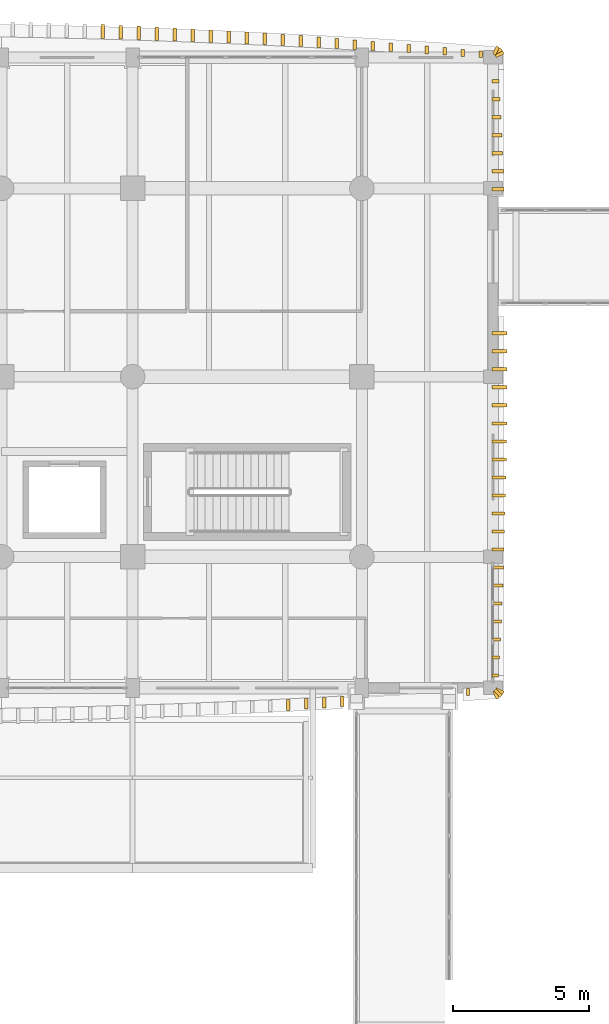
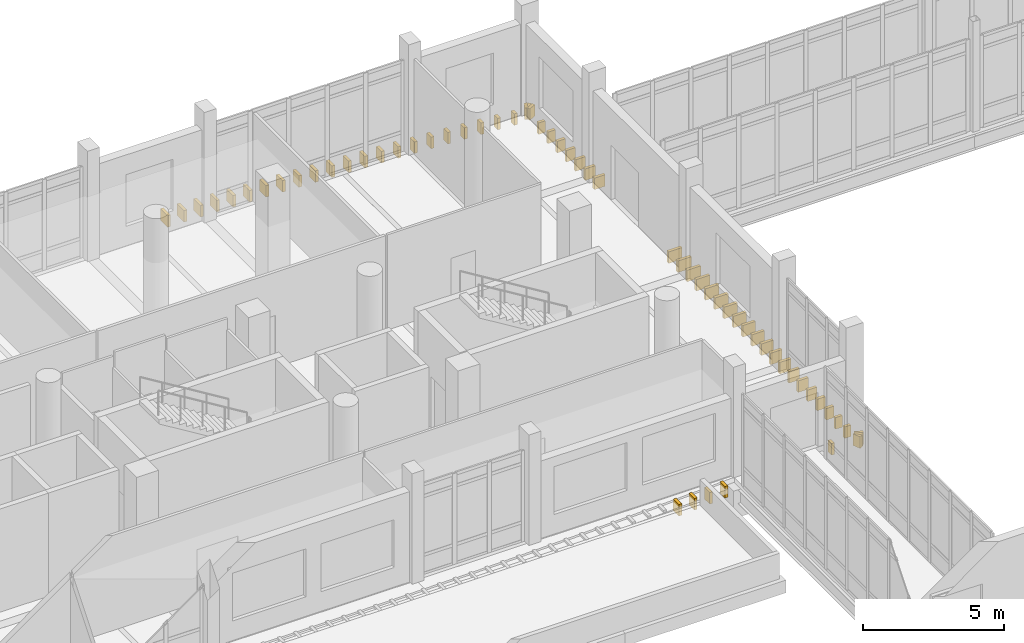
# One storey, part 121 of 125: 60 coverings.
"""IFC4 building model written with IfcOpenShell, lengths in metres."""

from ifc_helpers import new_model, si_unit, direction, frame, origin, origin_2d, place, context, subcontext, project, spatial, rectangle, extrude, material, layer, layer_set, type_object, element, save


model = new_model("IFC4")

# Units and contexts
model_context = context("Model", 3, precision=1e-05, world=origin(), true_north=direction((0.0, 1.0)))
body_context = subcontext(model_context, "Body", "Model", "MODEL_VIEW")
ifc_project = project(units=[si_unit("LENGTHUNIT", "METRE"), si_unit("AREAUNIT", "SQUARE_METRE"), si_unit("VOLUMEUNIT", "CUBIC_METRE"), si_unit("PLANEANGLEUNIT", "RADIAN"), si_unit("MASSUNIT", "GRAM", prefix="KILO")], contexts=[model_context])

# Site, building, storey
site_placement = place(None, origin())
site = spatial("IfcSite", under=ifc_project, at=site_placement, CompositionType="ELEMENT")
building_placement = place(site_placement, origin())
building = spatial("IfcBuilding", under=site, at=building_placement, Name="Dornvale Research Institute", CompositionType="ELEMENT")
storey_placement = place(building_placement, frame((0.0, 0.0, 5.39990234375)))
storey = spatial("IfcBuildingStorey", under=building, at=storey_placement, Name="L01", CompositionType="ELEMENT", Elevation=5.39990234375)

# Coverings
ifc_material = material(Name="Polychrome Glazed Terracotta Visor Rib Ceramic", Category="masonry")
ifc_layer = layer(ifc_material, 0.1201171875)
ifc_layer_set = layer_set([ifc_layer], Name="Polychrome Glazed Terracotta Visor Rib Ceramic")
covering_type = type_object("IfcCoveringType", Name="Covering_VisorBlade_Main", PredefinedType="CLADDING", material=ifc_layer_set)
covering_1_placement = place(storey_placement, frame((38.70263671875, 98.37646484375, -0.489990234375), z_axis=(0.0, 0.0, 1.0), x_axis=(0.0, 1.0, 0.0)))
element("IfcCovering", 1, at=covering_1_placement, inside=storey, type_object=covering_type, Name="L01 V5 canted glazed terracotta visor blade #59", PredefinedType="CLADDING", context=body_context, shape_type="SweptSolid", body=[
    extrude(rectangle(XDim=0.405029296875, YDim=0.1201171875, at=origin_2d()), origin(), (0.0, 0.0, 1.0), 0.5),
])
covering_2_placement = place(storey_placement, frame((39.36181640625, 98.415771484375, -0.489990234375), z_axis=(0.0, 0.0, 1.0), x_axis=(0.0, 1.0, 0.0)))
element("IfcCovering", 2, at=covering_2_placement, inside=storey, type_object=covering_type, Name="L01 V5 canted glazed terracotta visor blade #60", PredefinedType="CLADDING", context=body_context, shape_type="SweptSolid", body=[
    extrude(rectangle(XDim=0.39208984375, YDim=0.1201171875, at=origin_2d()), origin(), (0.0, 0.0, 1.0), 0.5),
])
covering_3_placement = place(storey_placement, frame((40.02099609375, 98.4580078125, -0.489990234375), z_axis=(0.0, 0.0, 1.0), x_axis=(0.0, 1.0, 0.0)))
element("IfcCovering", 3, at=covering_3_placement, inside=storey, type_object=covering_type, Name="L01 V5 canted glazed terracotta visor blade #61", PredefinedType="CLADDING", context=body_context, shape_type="SweptSolid", body=[
    extrude(rectangle(XDim=0.3779296875, YDim=0.1201171875, at=origin_2d()), origin(), (0.0, 0.0, 1.0), 0.5),
])
covering_4_placement = place(storey_placement, frame((40.679931640625, 98.501708984375, -0.489990234375), z_axis=(0.0, 0.0, 1.0), x_axis=(0.0, 1.0, 0.0)))
element("IfcCovering", 4, at=covering_4_placement, inside=storey, type_object=covering_type, Name="L01 V5 canted glazed terracotta visor blade #62", PredefinedType="CLADDING", context=body_context, shape_type="SweptSolid", body=[
    extrude(rectangle(XDim=0.363037109375, YDim=0.1201171875, at=origin_2d()), origin(), (0.0, 0.0, 1.0), 0.5),
])
covering_5_placement = place(storey_placement, frame((45.290771484375, 98.8525390625, -0.489990234375), z_axis=(0.0, 0.0, 1.0), x_axis=(0.0, 1.0, 0.0)))
element("IfcCovering", 5, at=covering_5_placement, inside=storey, type_object=covering_type, Name="L01 V5 canted glazed terracotta visor blade #63", PredefinedType="CLADDING", context=body_context, shape_type="SweptSolid", body=[
    extrude(rectangle(XDim=0.24609375, YDim=0.1201171875, at=origin_2d()), origin(), (0.0, 0.0, 1.0), 0.5),
])
covering_6_placement = place(storey_placement, frame((45.751220703125, 122.20849609375, -0.489990234375), z_axis=(0.0, 0.0, 1.0), x_axis=(0.0, 1.0, 0.0)))
element("IfcCovering", 6, at=covering_6_placement, inside=storey, type_object=covering_type, Name="L01 V5 canted glazed terracotta visor blade #64", PredefinedType="CLADDING", context=body_context, shape_type="SweptSolid", body=[
    extrude(rectangle(XDim=0.23291015625, YDim=0.1201171875, at=origin_2d()), origin(), (0.0, 0.0, 1.0), 0.5),
])
covering_7_placement = place(storey_placement, frame((45.0927734375, 122.2646484375, -0.489990234375), z_axis=(0.0, 0.0, 1.0), x_axis=(0.0, 1.0, 0.0)))
element("IfcCovering", 7, at=covering_7_placement, inside=storey, type_object=covering_type, Name="L01 V5 canted glazed terracotta visor blade #65", PredefinedType="CLADDING", context=body_context, shape_type="SweptSolid", body=[
    extrude(rectangle(XDim=0.251953125, YDim=0.1201171875, at=origin_2d()), origin(), (0.0, 0.0, 1.0), 0.5),
])
covering_8_placement = place(storey_placement, frame((44.434326171875, 122.319580078125, -0.489990234375), z_axis=(0.0, 0.0, 1.0), x_axis=(0.0, 1.0, 0.0)))
element("IfcCovering", 8, at=covering_8_placement, inside=storey, type_object=covering_type, Name="L01 V5 canted glazed terracotta visor blade #66", PredefinedType="CLADDING", context=body_context, shape_type="SweptSolid", body=[
    extrude(rectangle(XDim=0.27001953125, YDim=0.1201171875, at=origin_2d()), origin(), (0.0, 0.0, 1.0), 0.5),
])
covering_9_placement = place(storey_placement, frame((43.77587890625, 122.3720703125, -0.489990234375), z_axis=(0.0, 0.0, 1.0), x_axis=(0.0, 1.0, 0.0)))
element("IfcCovering", 9, at=covering_9_placement, inside=storey, type_object=covering_type, Name="L01 V5 canted glazed terracotta visor blade #67", PredefinedType="CLADDING", context=body_context, shape_type="SweptSolid", body=[
    extrude(rectangle(XDim=0.2880859375, YDim=0.1201171875, at=origin_2d()), origin(), (0.0, 0.0, 1.0), 0.5),
])
covering_10_placement = place(storey_placement, frame((43.1171875, 122.423583984375, -0.489990234375), z_axis=(0.0, 0.0, 1.0), x_axis=(0.0, 1.0, 0.0)))
element("IfcCovering", 10, at=covering_10_placement, inside=storey, type_object=covering_type, Name="L01 V5 canted glazed terracotta visor blade #68", PredefinedType="CLADDING", context=body_context, shape_type="SweptSolid", body=[
    extrude(rectangle(XDim=0.304931640625, YDim=0.1201171875, at=origin_2d()), origin(), (0.0, 0.0, 1.0), 0.5),
])
covering_11_placement = place(storey_placement, frame((42.45849609375, 122.47265625, -0.489990234375), z_axis=(0.0, 0.0, 1.0), x_axis=(0.0, 1.0, 0.0)))
element("IfcCovering", 11, at=covering_11_placement, inside=storey, type_object=covering_type, Name="L01 V5 canted glazed terracotta visor blade #69", PredefinedType="CLADDING", context=body_context, shape_type="SweptSolid", body=[
    extrude(rectangle(XDim=0.321044921875, YDim=0.1201171875, at=origin_2d()), origin(), (0.0, 0.0, 1.0), 0.5),
])
covering_12_placement = place(storey_placement, frame((41.7998046875, 122.5205078125, -0.489990234375), z_axis=(0.0, 0.0, 1.0), x_axis=(0.0, 1.0, 0.0)))
element("IfcCovering", 12, at=covering_12_placement, inside=storey, type_object=covering_type, Name="L01 V5 canted glazed terracotta visor blade #70", PredefinedType="CLADDING", context=body_context, shape_type="SweptSolid", body=[
    extrude(rectangle(XDim=0.3369140625, YDim=0.1201171875, at=origin_2d()), origin(), (0.0, 0.0, 1.0), 0.5),
])
covering_13_placement = place(storey_placement, frame((41.140869140625, 122.56787109375, -0.489990234375), z_axis=(0.0, 0.0, 1.0), x_axis=(0.0, 1.0, 0.0)))
element("IfcCovering", 13, at=covering_13_placement, inside=storey, type_object=covering_type, Name="L01 V5 canted glazed terracotta visor blade #71", PredefinedType="CLADDING", context=body_context, shape_type="SweptSolid", body=[
    extrude(rectangle(XDim=0.35302734375, YDim=0.1201171875, at=origin_2d()), origin(), (0.0, 0.0, 1.0), 0.5),
])
covering_14_placement = place(storey_placement, frame((40.48193359375, 122.61181640625, -0.489990234375), z_axis=(0.0, 0.0, 1.0), x_axis=(0.0, 1.0, 0.0)))
element("IfcCovering", 14, at=covering_14_placement, inside=storey, type_object=covering_type, Name="L01 V5 canted glazed terracotta visor blade #72", PredefinedType="CLADDING", context=body_context, shape_type="SweptSolid", body=[
    extrude(rectangle(XDim=0.367919921875, YDim=0.1201171875, at=origin_2d()), origin(), (0.0, 0.0, 1.0), 0.5),
])
covering_15_placement = place(storey_placement, frame((39.822998046875, 122.655029296875, -0.489990234375), z_axis=(0.0, 0.0, 1.0), x_axis=(0.0, 1.0, 0.0)))
element("IfcCovering", 15, at=covering_15_placement, inside=storey, type_object=covering_type, Name="L01 V5 canted glazed terracotta visor blade #73", PredefinedType="CLADDING", context=body_context, shape_type="SweptSolid", body=[
    extrude(rectangle(XDim=0.382080078125, YDim=0.1201171875, at=origin_2d()), origin(), (0.0, 0.0, 1.0), 0.5),
])
covering_16_placement = place(storey_placement, frame((39.163818359375, 122.696044921875, -0.489990234375), z_axis=(0.0, 0.0, 1.0), x_axis=(0.0, 1.0, 0.0)))
element("IfcCovering", 16, at=covering_16_placement, inside=storey, type_object=covering_type, Name="L01 V5 canted glazed terracotta visor blade #74", PredefinedType="CLADDING", context=body_context, shape_type="SweptSolid", body=[
    extrude(rectangle(XDim=0.39599609375, YDim=0.1201171875, at=origin_2d()), origin(), (0.0, 0.0, 1.0), 0.5),
])
covering_17_placement = place(storey_placement, frame((38.504638671875, 122.735595703125, -0.489990234375), z_axis=(0.0, 0.0, 1.0), x_axis=(0.0, 1.0, 0.0)))
element("IfcCovering", 17, at=covering_17_placement, inside=storey, type_object=covering_type, Name="L01 V5 canted glazed terracotta visor blade #75", PredefinedType="CLADDING", context=body_context, shape_type="SweptSolid", body=[
    extrude(rectangle(XDim=0.408935546875, YDim=0.1201171875, at=origin_2d()), origin(), (0.0, 0.0, 1.0), 0.5),
])
covering_18_placement = place(storey_placement, frame((37.845458984375, 122.7744140625, -0.489990234375), z_axis=(0.0, 0.0, 1.0), x_axis=(0.0, 1.0, 0.0)))
element("IfcCovering", 18, at=covering_18_placement, inside=storey, type_object=covering_type, Name="L01 V5 canted glazed terracotta visor blade #76", PredefinedType="CLADDING", context=body_context, shape_type="SweptSolid", body=[
    extrude(rectangle(XDim=0.422119140625, YDim=0.1201171875, at=origin_2d()), origin(), (0.0, 0.0, 1.0), 0.5),
])
covering_19_placement = place(storey_placement, frame((37.18603515625, 122.809814453125, -0.489990234375), z_axis=(0.0, 0.0, 1.0), x_axis=(0.0, 1.0, 0.0)))
element("IfcCovering", 19, at=covering_19_placement, inside=storey, type_object=covering_type, Name="L01 V5 canted glazed terracotta visor blade #77", PredefinedType="CLADDING", context=body_context, shape_type="SweptSolid", body=[
    extrude(rectangle(XDim=0.43408203125, YDim=0.1201171875, at=origin_2d()), origin(), (0.0, 0.0, 1.0), 0.5),
])
covering_20_placement = place(storey_placement, frame((36.526611328125, 122.8447265625, -0.489990234375), z_axis=(0.0, 0.0, 1.0), x_axis=(0.0, 1.0, 0.0)))
element("IfcCovering", 20, at=covering_20_placement, inside=storey, type_object=covering_type, Name="L01 V5 canted glazed terracotta visor blade #78", PredefinedType="CLADDING", context=body_context, shape_type="SweptSolid", body=[
    extrude(rectangle(XDim=0.445068359375, YDim=0.1201171875, at=origin_2d()), origin(), (0.0, 0.0, 1.0), 0.5),
])
covering_21_placement = place(storey_placement, frame((35.8671875, 122.87744140625, -0.489990234375), z_axis=(0.0, 0.0, 1.0), x_axis=(0.0, 1.0, 0.0)))
element("IfcCovering", 21, at=covering_21_placement, inside=storey, type_object=covering_type, Name="L01 V5 canted glazed terracotta visor blade #79", PredefinedType="CLADDING", context=body_context, shape_type="SweptSolid", body=[
    extrude(rectangle(XDim=0.4560546875, YDim=0.1201171875, at=origin_2d()), origin(), (0.0, 0.0, 1.0), 0.5),
])
covering_22_placement = place(storey_placement, frame((35.207763671875, 122.908935546875, -0.489990234375), z_axis=(0.0, 0.0, 1.0), x_axis=(0.0, 1.0, 0.0)))
element("IfcCovering", 22, at=covering_22_placement, inside=storey, type_object=covering_type, Name="L01 V5 canted glazed terracotta visor blade #80", PredefinedType="CLADDING", context=body_context, shape_type="SweptSolid", body=[
    extrude(rectangle(XDim=0.467041015625, YDim=0.1201171875, at=origin_2d()), origin(), (0.0, 0.0, 1.0), 0.5),
])
covering_23_placement = place(storey_placement, frame((34.54833984375, 122.939453125, -0.489990234375), z_axis=(0.0, 0.0, 1.0), x_axis=(0.0, 1.0, 0.0)))
element("IfcCovering", 23, at=covering_23_placement, inside=storey, type_object=covering_type, Name="L01 V5 canted glazed terracotta visor blade #81", PredefinedType="CLADDING", context=body_context, shape_type="SweptSolid", body=[
    extrude(rectangle(XDim=0.47705078125, YDim=0.1201171875, at=origin_2d()), origin(), (0.0, 0.0, 1.0), 0.5),
])
covering_24_placement = place(storey_placement, frame((33.888671875, 122.966552734375, -0.489990234375), z_axis=(0.0, 0.0, 1.0), x_axis=(0.0, 1.0, 0.0)))
element("IfcCovering", 24, at=covering_24_placement, inside=storey, type_object=covering_type, Name="L01 V5 canted glazed terracotta visor blade #82", PredefinedType="CLADDING", context=body_context, shape_type="SweptSolid", body=[
    extrude(rectangle(XDim=0.486083984375, YDim=0.1201171875, at=origin_2d()), origin(), (0.0, 0.0, 1.0), 0.5),
])
covering_25_placement = place(storey_placement, frame((33.22900390625, 122.99365234375, -0.489990234375), z_axis=(0.0, 0.0, 1.0), x_axis=(0.0, 1.0, 0.0)))
element("IfcCovering", 25, at=covering_25_placement, inside=storey, type_object=covering_type, Name="L01 V5 canted glazed terracotta visor blade #83", PredefinedType="CLADDING", context=body_context, shape_type="SweptSolid", body=[
    extrude(rectangle(XDim=0.4951171875, YDim=0.1201171875, at=origin_2d()), origin(), (0.0, 0.0, 1.0), 0.5),
])
covering_26_placement = place(storey_placement, frame((32.5693359375, 123.017822265625, -0.489990234375), z_axis=(0.0, 0.0, 1.0), x_axis=(0.0, 1.0, 0.0)))
element("IfcCovering", 26, at=covering_26_placement, inside=storey, type_object=covering_type, Name="L01 V5 canted glazed terracotta visor blade #84", PredefinedType="CLADDING", context=body_context, shape_type="SweptSolid", body=[
    extrude(rectangle(XDim=0.5029296875, YDim=0.1201171875, at=origin_2d()), origin(), (0.0, 0.0, 1.0), 0.5),
])
covering_27_placement = place(storey_placement, frame((31.90966796875, 123.041015625, -0.489990234375), z_axis=(0.0, 0.0, 1.0), x_axis=(0.0, 1.0, 0.0)))
element("IfcCovering", 27, at=covering_27_placement, inside=storey, type_object=covering_type, Name="L01 V5 canted glazed terracotta visor blade #85", PredefinedType="CLADDING", context=body_context, shape_type="SweptSolid", body=[
    extrude(rectangle(XDim=0.510986328125, YDim=0.1201171875, at=origin_2d()), origin(), (0.0, 0.0, 1.0), 0.5),
])
covering_28_placement = place(storey_placement, frame((46.282958984375, 99.449951171875, -0.489990234375), z_axis=(0.0, 0.0, 1.0), x_axis=(1.0, 0.0, 0.0)))
element("IfcCovering", 28, at=covering_28_placement, inside=storey, type_object=covering_type, Name="L01 V5 canted glazed terracotta visor blade #133", PredefinedType="CLADDING", context=body_context, shape_type="SweptSolid", body=[
    extrude(rectangle(XDim=0.24609375, YDim=0.1201171875, at=origin_2d()), origin(), (0.0, 0.0, 1.0), 0.5),
])
covering_29_placement = place(storey_placement, frame((46.301025390625, 100.110107421875, -0.489990234375), z_axis=(0.0, 0.0, 1.0), x_axis=(1.0, 0.0, 0.0)))
element("IfcCovering", 29, at=covering_29_placement, inside=storey, type_object=covering_type, Name="L01 V5 canted glazed terracotta visor blade #134", PredefinedType="CLADDING", context=body_context, shape_type="SweptSolid", body=[
    extrude(rectangle(XDim=0.281982421875, YDim=0.1201171875, at=origin_2d()), origin(), (0.0, 0.0, 1.0), 0.5),
])
covering_30_placement = place(storey_placement, frame((46.318115234375, 100.77001953125, -0.489990234375), z_axis=(0.0, 0.0, 1.0), x_axis=(1.0, 0.0, 0.0)))
element("IfcCovering", 30, at=covering_30_placement, inside=storey, type_object=covering_type, Name="L01 V5 canted glazed terracotta visor blade #135", PredefinedType="CLADDING", context=body_context, shape_type="SweptSolid", body=[
    extrude(rectangle(XDim=0.31591796875, YDim=0.1201171875, at=origin_2d()), origin(), (0.0, 0.0, 1.0), 0.5),
])
covering_31_placement = place(storey_placement, frame((46.333984375, 101.429931640625, -0.489990234375), z_axis=(0.0, 0.0, 1.0), x_axis=(1.0, 0.0, 0.0)))
element("IfcCovering", 31, at=covering_31_placement, inside=storey, type_object=covering_type, Name="L01 V5 canted glazed terracotta visor blade #136", PredefinedType="CLADDING", context=body_context, shape_type="SweptSolid", body=[
    extrude(rectangle(XDim=0.347900390625, YDim=0.1201171875, at=origin_2d()), origin(), (0.0, 0.0, 1.0), 0.5),
])
covering_32_placement = place(storey_placement, frame((46.34912109375, 102.090087890625, -0.489990234375), z_axis=(0.0, 0.0, 1.0), x_axis=(1.0, 0.0, 0.0)))
element("IfcCovering", 32, at=covering_32_placement, inside=storey, type_object=covering_type, Name="L01 V5 canted glazed terracotta visor blade #137", PredefinedType="CLADDING", context=body_context, shape_type="SweptSolid", body=[
    extrude(rectangle(XDim=0.3779296875, YDim=0.1201171875, at=origin_2d()), origin(), (0.0, 0.0, 1.0), 0.5),
])
covering_33_placement = place(storey_placement, frame((46.362548828125, 102.75, -0.489990234375), z_axis=(0.0, 0.0, 1.0), x_axis=(1.0, 0.0, 0.0)))
element("IfcCovering", 33, at=covering_33_placement, inside=storey, type_object=covering_type, Name="L01 V5 canted glazed terracotta visor blade #138", PredefinedType="CLADDING", context=body_context, shape_type="SweptSolid", body=[
    extrude(rectangle(XDim=0.405029296875, YDim=0.1201171875, at=origin_2d()), origin(), (0.0, 0.0, 1.0), 0.5),
])
covering_34_placement = place(storey_placement, frame((46.375, 103.409912109375, -0.489990234375), z_axis=(0.0, 0.0, 1.0), x_axis=(1.0, 0.0, 0.0)))
element("IfcCovering", 34, at=covering_34_placement, inside=storey, type_object=covering_type, Name="L01 V5 canted glazed terracotta visor blade #139", PredefinedType="CLADDING", context=body_context, shape_type="SweptSolid", body=[
    extrude(rectangle(XDim=0.429931640625, YDim=0.1201171875, at=origin_2d()), origin(), (0.0, 0.0, 1.0), 0.5),
])
covering_35_placement = place(storey_placement, frame((46.386474609375, 104.070068359375, -0.489990234375), z_axis=(0.0, 0.0, 1.0), x_axis=(1.0, 0.0, 0.0)))
element("IfcCovering", 35, at=covering_35_placement, inside=storey, type_object=covering_type, Name="L01 V5 canted glazed terracotta visor blade #140", PredefinedType="CLADDING", context=body_context, shape_type="SweptSolid", body=[
    extrude(rectangle(XDim=0.452880859375, YDim=0.1201171875, at=origin_2d()), origin(), (0.0, 0.0, 1.0), 0.5),
])
covering_36_placement = place(storey_placement, frame((46.39697265625, 104.72998046875, -0.489990234375), z_axis=(0.0, 0.0, 1.0), x_axis=(1.0, 0.0, 0.0)))
element("IfcCovering", 36, at=covering_36_placement, inside=storey, type_object=covering_type, Name="L01 V5 canted glazed terracotta visor blade #141", PredefinedType="CLADDING", context=body_context, shape_type="SweptSolid", body=[
    extrude(rectangle(XDim=0.47412109375, YDim=0.1201171875, at=origin_2d()), origin(), (0.0, 0.0, 1.0), 0.5),
])
covering_37_placement = place(storey_placement, frame((46.406005859375, 105.389892578125, -0.489990234375), z_axis=(0.0, 0.0, 1.0), x_axis=(1.0, 0.0, 0.0)))
element("IfcCovering", 37, at=covering_37_placement, inside=storey, type_object=covering_type, Name="L01 V5 canted glazed terracotta visor blade #142", PredefinedType="CLADDING", context=body_context, shape_type="SweptSolid", body=[
    extrude(rectangle(XDim=0.491943359375, YDim=0.1201171875, at=origin_2d()), origin(), (0.0, 0.0, 1.0), 0.5),
])
covering_38_placement = place(storey_placement, frame((46.4140625, 106.050048828125, -0.489990234375), z_axis=(0.0, 0.0, 1.0), x_axis=(1.0, 0.0, 0.0)))
element("IfcCovering", 38, at=covering_38_placement, inside=storey, type_object=covering_type, Name="L01 V5 canted glazed terracotta visor blade #143", PredefinedType="CLADDING", context=body_context, shape_type="SweptSolid", body=[
    extrude(rectangle(XDim=0.508056640625, YDim=0.1201171875, at=origin_2d()), origin(), (0.0, 0.0, 1.0), 0.5),
])
covering_39_placement = place(storey_placement, frame((46.4208984375, 106.7099609375, -0.489990234375), z_axis=(0.0, 0.0, 1.0), x_axis=(1.0, 0.0, 0.0)))
element("IfcCovering", 39, at=covering_39_placement, inside=storey, type_object=covering_type, Name="L01 V5 canted glazed terracotta visor blade #144", PredefinedType="CLADDING", context=body_context, shape_type="SweptSolid", body=[
    extrude(rectangle(XDim=0.52197265625, YDim=0.1201171875, at=origin_2d()), origin(), (0.0, 0.0, 1.0), 0.5),
])
covering_40_placement = place(storey_placement, frame((46.427001953125, 107.3701171875, -0.489990234375), z_axis=(0.0, 0.0, 1.0), x_axis=(1.0, 0.0, 0.0)))
element("IfcCovering", 40, at=covering_40_placement, inside=storey, type_object=covering_type, Name="L01 V5 canted glazed terracotta visor blade #145", PredefinedType="CLADDING", context=body_context, shape_type="SweptSolid", body=[
    extrude(rectangle(XDim=0.533935546875, YDim=0.1201171875, at=origin_2d()), origin(), (0.0, 0.0, 1.0), 0.5),
])
covering_41_placement = place(storey_placement, frame((46.431884765625, 108.030029296875, -0.489990234375), z_axis=(0.0, 0.0, 1.0), x_axis=(1.0, 0.0, 0.0)))
element("IfcCovering", 41, at=covering_41_placement, inside=storey, type_object=covering_type, Name="L01 V5 canted glazed terracotta visor blade #146", PredefinedType="CLADDING", context=body_context, shape_type="SweptSolid", body=[
    extrude(rectangle(XDim=0.5439453125, YDim=0.1201171875, at=origin_2d()), origin(), (0.0, 0.0, 1.0), 0.5),
])
covering_42_placement = place(storey_placement, frame((46.435546875, 108.68994140625, -0.489990234375), z_axis=(0.0, 0.0, 1.0), x_axis=(1.0, 0.0, 0.0)))
element("IfcCovering", 42, at=covering_42_placement, inside=storey, type_object=covering_type, Name="L01 V5 canted glazed terracotta visor blade #147", PredefinedType="CLADDING", context=body_context, shape_type="SweptSolid", body=[
    extrude(rectangle(XDim=0.551025390625, YDim=0.1201171875, at=origin_2d()), origin(), (0.0, 0.0, 1.0), 0.5),
])
covering_43_placement = place(storey_placement, frame((46.43798828125, 109.35009765625, -0.489990234375), z_axis=(0.0, 0.0, 1.0), x_axis=(1.0, 0.0, 0.0)))
element("IfcCovering", 43, at=covering_43_placement, inside=storey, type_object=covering_type, Name="L01 V5 canted glazed terracotta visor blade #148", PredefinedType="CLADDING", context=body_context, shape_type="SweptSolid", body=[
    extrude(rectangle(XDim=0.555908203125, YDim=0.1201171875, at=origin_2d()), origin(), (0.0, 0.0, 1.0), 0.5),
])
covering_44_placement = place(storey_placement, frame((46.439453125, 110.010009765625, -0.489990234375), z_axis=(0.0, 0.0, 1.0), x_axis=(1.0, 0.0, 0.0)))
element("IfcCovering", 44, at=covering_44_placement, inside=storey, type_object=covering_type, Name="L01 V5 canted glazed terracotta visor blade #149", PredefinedType="CLADDING", context=body_context, shape_type="SweptSolid", body=[
    extrude(rectangle(XDim=0.55908203125, YDim=0.1201171875, at=origin_2d()), origin(), (0.0, 0.0, 1.0), 0.5),
])
covering_45_placement = place(storey_placement, frame((46.43994140625, 110.669921875, -0.489990234375), z_axis=(0.0, 0.0, 1.0), x_axis=(1.0, 0.0, 0.0)))
element("IfcCovering", 45, at=covering_45_placement, inside=storey, type_object=covering_type, Name="L01 V5 canted glazed terracotta visor blade #150", PredefinedType="CLADDING", context=body_context, shape_type="SweptSolid", body=[
    extrude(rectangle(XDim=0.56005859375, YDim=0.1201171875, at=origin_2d()), origin(), (0.0, 0.0, 1.0), 0.5),
])
covering_46_placement = place(storey_placement, frame((46.43896484375, 111.330078125, -0.489990234375), z_axis=(0.0, 0.0, 1.0), x_axis=(1.0, 0.0, 0.0)))
element("IfcCovering", 46, at=covering_46_placement, inside=storey, type_object=covering_type, Name="L01 V5 canted glazed terracotta visor blade #151", PredefinedType="CLADDING", context=body_context, shape_type="SweptSolid", body=[
    extrude(rectangle(XDim=0.55810546875, YDim=0.1201171875, at=origin_2d()), origin(), (0.0, 0.0, 1.0), 0.5),
])
covering_47_placement = place(storey_placement, frame((46.4375, 111.989990234375, -0.489990234375), z_axis=(0.0, 0.0, 1.0), x_axis=(1.0, 0.0, 0.0)))
element("IfcCovering", 47, at=covering_47_placement, inside=storey, type_object=covering_type, Name="L01 V5 canted glazed terracotta visor blade #152", PredefinedType="CLADDING", context=body_context, shape_type="SweptSolid", body=[
    extrude(rectangle(XDim=0.554931640625, YDim=0.1201171875, at=origin_2d()), origin(), (0.0, 0.0, 1.0), 0.5),
])
covering_48_placement = place(storey_placement, frame((46.382568359375, 117.27001953125, -0.489990234375), z_axis=(0.0, 0.0, 1.0), x_axis=(1.0, 0.0, 0.0)))
element("IfcCovering", 48, at=covering_48_placement, inside=storey, type_object=covering_type, Name="L01 V5 canted glazed terracotta visor blade #153", PredefinedType="CLADDING", context=body_context, shape_type="SweptSolid", body=[
    extrude(rectangle(XDim=0.445068359375, YDim=0.1201171875, at=origin_2d()), origin(), (0.0, 0.0, 1.0), 0.5),
])
covering_49_placement = place(storey_placement, frame((46.37060546875, 117.929931640625, -0.489990234375), z_axis=(0.0, 0.0, 1.0), x_axis=(1.0, 0.0, 0.0)))
element("IfcCovering", 49, at=covering_49_placement, inside=storey, type_object=covering_type, Name="L01 V5 canted glazed terracotta visor blade #154", PredefinedType="CLADDING", context=body_context, shape_type="SweptSolid", body=[
    extrude(rectangle(XDim=0.4208984375, YDim=0.1201171875, at=origin_2d()), origin(), (0.0, 0.0, 1.0), 0.5),
])
covering_50_placement = place(storey_placement, frame((46.357421875, 118.590087890625, -0.489990234375), z_axis=(0.0, 0.0, 1.0), x_axis=(1.0, 0.0, 0.0)))
element("IfcCovering", 50, at=covering_50_placement, inside=storey, type_object=covering_type, Name="L01 V5 canted glazed terracotta visor blade #155", PredefinedType="CLADDING", context=body_context, shape_type="SweptSolid", body=[
    extrude(rectangle(XDim=0.39501953125, YDim=0.1201171875, at=origin_2d()), origin(), (0.0, 0.0, 1.0), 0.5),
])
covering_51_placement = place(storey_placement, frame((46.343505859375, 119.25, -0.489990234375), z_axis=(0.0, 0.0, 1.0), x_axis=(1.0, 0.0, 0.0)))
element("IfcCovering", 51, at=covering_51_placement, inside=storey, type_object=covering_type, Name="L01 V5 canted glazed terracotta visor blade #156", PredefinedType="CLADDING", context=body_context, shape_type="SweptSolid", body=[
    extrude(rectangle(XDim=0.366943359375, YDim=0.1201171875, at=origin_2d()), origin(), (0.0, 0.0, 1.0), 0.5),
])
covering_52_placement = place(storey_placement, frame((46.32861328125, 119.909912109375, -0.489990234375), z_axis=(0.0, 0.0, 1.0), x_axis=(1.0, 0.0, 0.0)))
element("IfcCovering", 52, at=covering_52_placement, inside=storey, type_object=covering_type, Name="L01 V5 canted glazed terracotta visor blade #157", PredefinedType="CLADDING", context=body_context, shape_type="SweptSolid", body=[
    extrude(rectangle(XDim=0.3369140625, YDim=0.1201171875, at=origin_2d()), origin(), (0.0, 0.0, 1.0), 0.5),
])
covering_53_placement = place(storey_placement, frame((46.31201171875, 120.570068359375, -0.489990234375), z_axis=(0.0, 0.0, 1.0), x_axis=(1.0, 0.0, 0.0)))
element("IfcCovering", 53, at=covering_53_placement, inside=storey, type_object=covering_type, Name="L01 V5 canted glazed terracotta visor blade #158", PredefinedType="CLADDING", context=body_context, shape_type="SweptSolid", body=[
    extrude(rectangle(XDim=0.303955078125, YDim=0.1201171875, at=origin_2d()), origin(), (0.0, 0.0, 1.0), 0.5),
])
covering_54_placement = place(storey_placement, frame((46.29443359375, 121.22998046875, -0.489990234375), z_axis=(0.0, 0.0, 1.0), x_axis=(1.0, 0.0, 0.0)))
element("IfcCovering", 54, at=covering_54_placement, inside=storey, type_object=covering_type, Name="L01 V5 canted glazed terracotta visor blade #159", PredefinedType="CLADDING", context=body_context, shape_type="SweptSolid", body=[
    extrude(rectangle(XDim=0.26904296875, YDim=0.1201171875, at=origin_2d()), origin(), (0.0, 0.0, 1.0), 0.5),
])
for number, where, z_axis, x_axis, name in (
    (55, (46.314208984375, 98.75537109375, -0.489990234375), (0.0, 0.0, 1.0), (0.422618261741, -0.906307787037, 0.0), "L01 V5 corner-wrapping visor blade #197"),
    (56, (46.390869140625, 98.80908203125, -0.489990234375), (0.0, 0.0, 1.0), (0.707106781187, -0.707106781187, 0.0), "L01 V5 corner-wrapping visor blade #198"),
    (57, (46.444580078125, 98.885986328125, -0.489990234375), (0.0, 0.0, 1.0), (0.906307787037, -0.422618261741, 0.0), "L01 V5 corner-wrapping visor blade #199"),
    (58, (46.444580078125, 122.214111328125, -0.489990234375), (0.0, 0.0, 1.0), (0.906307787037, 0.422618261741, 0.0), "L01 V5 corner-wrapping visor blade #200"),
    (59, (46.390869140625, 122.291015625, -0.489990234375), (0.0, 0.0, 1.0), (0.707106781187, 0.707106781187, 0.0), "L01 V5 corner-wrapping visor blade #201"),
    (60, (46.314208984375, 122.3447265625, -0.489990234375), (0.0, 0.0, 1.0), (0.422618261741, 0.906307787037, 0.0), "L01 V5 corner-wrapping visor blade #202"),
):
    element("IfcCovering", number, at=place(storey_placement, frame(where, z_axis=z_axis, x_axis=x_axis)), inside=storey, type_object=covering_type, Name=name, PredefinedType="CLADDING", context=body_context, shape_type="SweptSolid", body=[
        extrude(rectangle(XDim=0.320068359375, YDim=0.1201171875, at=origin_2d()), origin(), (0.0, 0.0, 1.0), 0.5),
    ])

save(model, "model.ifc")
